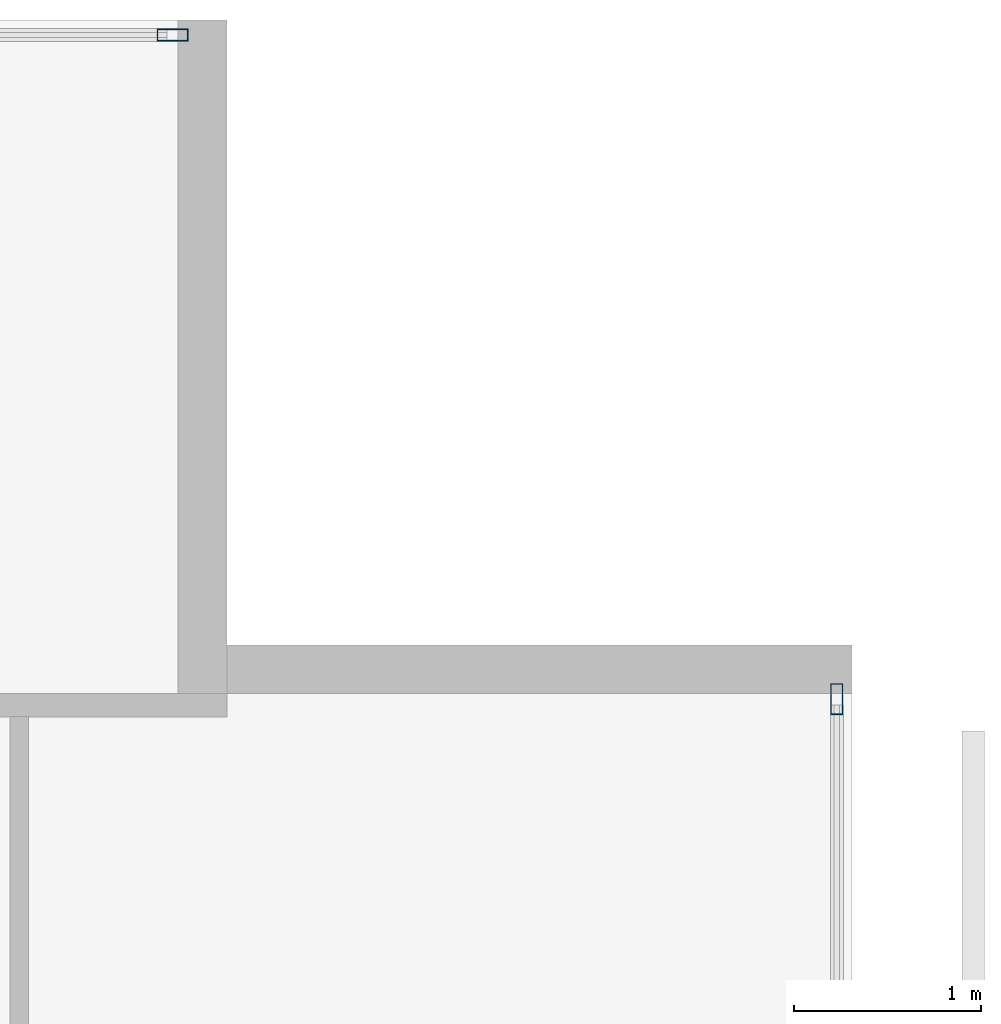
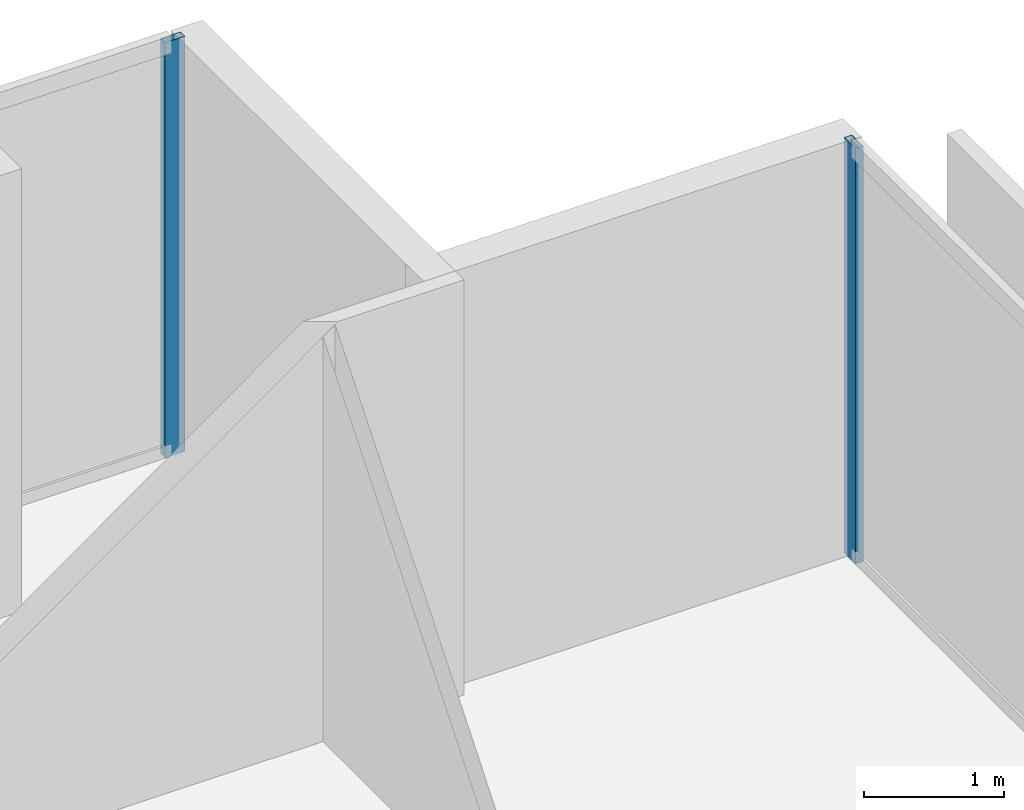
# One storey, part 31 of 40: 2 members, 2 elements without a shape of their own.
"""IFC4 building model written with IfcOpenShell, lengths in metres."""

from ifc_helpers import new_model, si_unit, direction, frame, origin, origin_2d, place, context, subcontext, project, spatial, hollow_rectangle, extrude, material, layer, layer_set, material_profile, profile_set, type_object, element, aggregate, save


model = new_model("IFC4")

# Units and contexts
model_context = context("Model", 3, precision=1e-05, world=origin(), true_north=direction((0.0, 1.0)))
body_context = subcontext(model_context, "Body", "Model", "MODEL_VIEW")
ifc_project = project(units=[si_unit("LENGTHUNIT", "METRE"), si_unit("AREAUNIT", "SQUARE_METRE"), si_unit("VOLUMEUNIT", "CUBIC_METRE"), si_unit("PLANEANGLEUNIT", "RADIAN"), si_unit("MASSUNIT", "GRAM", prefix="KILO")], contexts=[model_context])

# Site, building, storey
site_placement = place(None, origin())
site = spatial("IfcSite", under=ifc_project, at=site_placement, CompositionType="ELEMENT")
building_placement = place(site_placement, origin())
building = spatial("IfcBuilding", under=site, at=building_placement, Name="Maruvema Waterfront Hotel and Observation Tower", CompositionType="ELEMENT")
storey_placement = place(building_placement, frame((0.0, 0.0, 42.35009765625)))
storey = spatial("IfcBuildingStorey", under=building, at=storey_placement, Name="L09", CompositionType="ELEMENT", Elevation=42.35009765625)

# Curtain wall, member
ifc_material_1 = material(Name="Anodised bronze aluminium and solar-control low-E IGU", Category="aluminium")
ifc_layer = layer(ifc_material_1, 0.159912109375, Name="Zone 1 Bronze Inner Thermal Curtain Wall System CW-02")
ifc_layer_set = layer_set([ifc_layer], Name="Anodised bronze aluminium and solar-control low-E IGU")
curtain_wall_type = type_object("IfcCurtainWallType", Name="Zone 1 Bronze Inner Thermal Curtain Wall System CW-02", PredefinedType="USERDEFINED", material=ifc_layer_set)
curtain_wall_1_placement = place(storey_placement, origin())
curtain_wall_1 = element("IfcCurtainWall", 1, at=curtain_wall_1_placement, inside=storey, type_object=curtain_wall_type, Name="L09 Curtain Wall CW-L09-E", ObjectType="UNITISED CURTAIN WALL", PredefinedType="USERDEFINED")
ifc_material_2 = material(Name="Anodised architectural bronze aluminium", Category="aluminium")
ifc_material_profile = material_profile(ifc_material_2, hollow_rectangle(XDim=0.06494140625, YDim=0.1650390625, WallThickness=0.00390625, at=origin_2d()), Name="ALU-M65x165")
ifc_profile_set = profile_set([ifc_material_profile], Name="Anodised architectural bronze aluminium")
member_type = type_object("IfcMemberType", Name="Curtain Wall Primary Mullion ALU-M65x165", PredefinedType="MULLION", material=ifc_profile_set)
member_1_placement = place(storey_placement, frame((64.719970703125, 50.3701171875, 0.0), z_axis=(0.0, 0.0, 1.0), x_axis=(-1.0, 0.0, 0.0)))
member_1 = element("IfcMember", 2, at=member_1_placement, type_object=member_type, Name="CW-02 mullion 7", PredefinedType="MULLION", context=body_context, shape_type="SweptSolid", body=[
    extrude(hollow_rectangle(XDim=0.06494140625, YDim=0.1650390625, WallThickness=0.00390625, at=origin_2d()), origin(), (0.0, 0.0, 1.0), 3.60986328125),
])
aggregate(curtain_wall_1, [member_1])

curtain_wall_2_placement = place(storey_placement, origin())
curtain_wall_2 = element("IfcCurtainWall", 3, at=curtain_wall_2_placement, inside=storey, type_object=curtain_wall_type, Name="L09 Curtain Wall CW-L09-NE", ObjectType="UNITISED CURTAIN WALL", PredefinedType="USERDEFINED")
member_2_placement = place(storey_placement, frame((61.169921875, 53.919921875, 0.0), z_axis=(0.0, 0.0, 1.0), x_axis=(0.0, -1.0, 0.0)))
member_2 = element("IfcMember", 4, at=member_2_placement, type_object=member_type, Name="CW-02 mullion 1", PredefinedType="MULLION", context=body_context, shape_type="SweptSolid", body=[
    extrude(hollow_rectangle(XDim=0.06494140625, YDim=0.1650390625, WallThickness=0.00390625, at=origin_2d()), origin(), (0.0, 0.0, 1.0), 3.60986328125),
])
aggregate(curtain_wall_2, [member_2])

save(model, "model.ifc")
